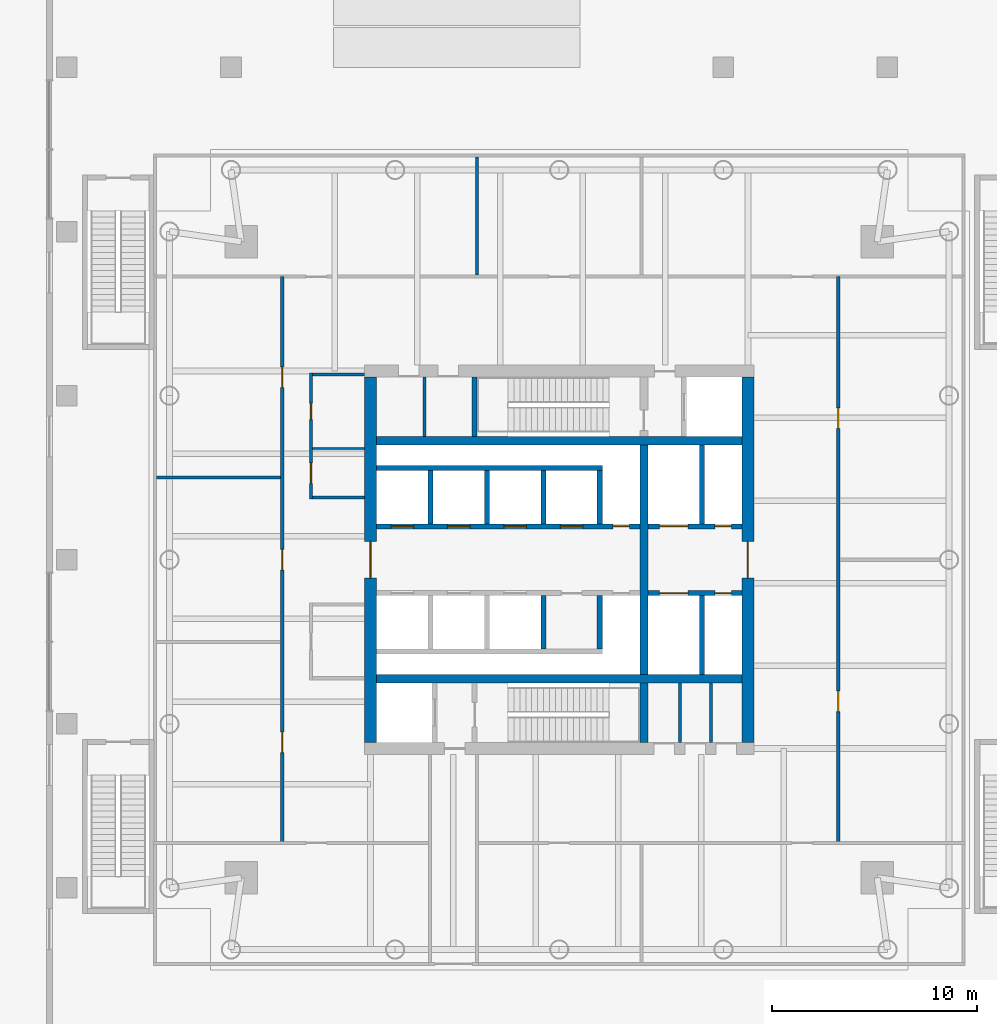
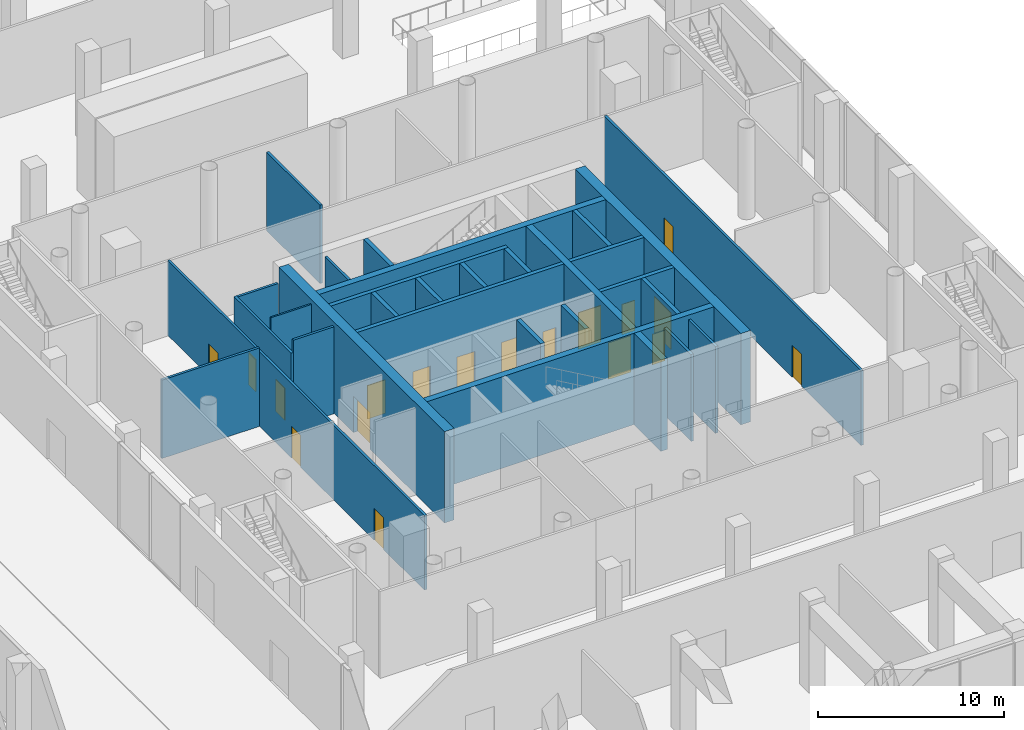
# One storey, part 30 of 39: 30 walls, 18 doors, 18 openings.
"""IFC4 building model written with IfcOpenShell, lengths in metres."""

import ifcopenshell
import ifcopenshell.guid

model = None  # the IFC model being written
_history = None  # IfcOwnerHistory: only IFC2X3 demands one
_inside = {}  # id of a spatial element -> (the spatial element, [elements in it])
_under = {}  # id of a project, library or spatial element -> (it, [spatial elements below it])
_declared = {}  # id of a project -> (the project, [libraries it declares])
_typed = {}  # id of a type object -> (the type object, [elements of that type])
_made_of = {}  # id of a material, layer set ... -> (it, [elements and type objects made of it])


def new_model(schema):
    """Start an empty IFC model of exactly this schema.

    Asked for "IFC4X3", IfcOpenShell would pick the latest addendum, in which some entities
    have other attributes; the version numbers below select the first issue.
    IFC2X3 requires an IfcOwnerHistory on every rooted entity: one is made here for all.
    """
    global model, _history
    if schema == "IFC4X3":
        model = ifcopenshell.file(schema_version=(4, 3, 0, 0))
    else:
        model = ifcopenshell.file(schema=schema)
    _inside.clear()
    _under.clear()
    _declared.clear()
    _typed.clear()
    _made_of.clear()
    _history = None
    if model.schema == "IFC2X3":
        org = make("IfcOrganization", Name="unknown")
        user = make(
            "IfcPersonAndOrganization",
            ThePerson=make("IfcPerson", FamilyName="unknown"),
            TheOrganization=org,
        )
        app = make(
            "IfcApplication",
            ApplicationDeveloper=org,
            Version="unknown",
            ApplicationFullName="unknown",
            ApplicationIdentifier="unknown",
        )
        _history = make(
            "IfcOwnerHistory",
            OwningUser=user,
            OwningApplication=app,
            ChangeAction="ADDED",
            CreationDate=0,
        )
    return model


def make(cls, **values):
    """One entity of the class cls with the attributes given. An attribute that is None is left unset."""
    return model.create_entity(
        cls, **{name: value for name, value in values.items() if value is not None}
    )


def rooted(cls, **values):
    """An entity with a GlobalId (a new one), such as an element, a storey or a relation."""
    return make(cls, GlobalId=ifcopenshell.guid.new(), OwnerHistory=_history, **values)


def si_unit(unit_type, name, prefix=None):
    """IfcSIUnit, for example si_unit("LENGTHUNIT", "METRE", prefix="MILLI")."""
    return make("IfcSIUnit", UnitType=unit_type, Prefix=prefix, Name=name)


def assignment(units):
    """IfcUnitAssignment: the units of a project."""
    return None if units is None else make("IfcUnitAssignment", Units=units)


def point(xyz):
    """IfcCartesianPoint."""
    return None if xyz is None else make("IfcCartesianPoint", Coordinates=xyz)


def direction(xyz):
    """IfcDirection."""
    return None if xyz is None else make("IfcDirection", DirectionRatios=xyz)


def frame(location, z_axis=None, x_axis=None):
    """IfcAxis2Placement3D, a coordinate frame: its origin and axes. An axis left out is left unset."""
    return make(
        "IfcAxis2Placement3D",
        Location=point(location),
        Axis=direction(z_axis),
        RefDirection=direction(x_axis),
    )


def frame_2d(location, x_axis=None):
    """IfcAxis2Placement2D, a coordinate frame in the plane: its origin and x axis."""
    return make(
        "IfcAxis2Placement2D", Location=point(location), RefDirection=direction(x_axis)
    )


def origin():
    """The frame at (0, 0, 0) with its axes left unset."""
    return frame((0.0, 0.0, 0.0))


def place(relative_to, where):
    """IfcLocalPlacement: puts the frame where relative to a parent placement (None: the world)."""
    return make(
        "IfcLocalPlacement", PlacementRelTo=relative_to, RelativePlacement=where
    )


def context(
    kind, dimensions, precision=None, world=None, true_north=None, identifier=None
):
    """IfcGeometricRepresentationContext, for example the 3D "Model" context."""
    return make(
        "IfcGeometricRepresentationContext",
        ContextIdentifier=identifier,
        ContextType=kind,
        CoordinateSpaceDimension=dimensions,
        Precision=precision,
        WorldCoordinateSystem=world,
        TrueNorth=true_north,
    )


def subcontext(parent, identifier, kind, view, scale=None):
    """IfcGeometricRepresentationSubContext, for example "Body" below "Model"."""
    return make(
        "IfcGeometricRepresentationSubContext",
        ContextIdentifier=identifier,
        ContextType=kind,
        ParentContext=parent,
        TargetScale=scale,
        TargetView=view,
    )


def project(units=None, contexts=None):
    """IfcProject with its units and contexts."""
    return rooted(
        "IfcProject",
        Name="project",
        RepresentationContexts=contexts,
        UnitsInContext=assignment(units),
    )


def spatial(cls, under=None, at=None, **own):
    """A site, building, storey or space (cls), placed at a placement, below another one or the project."""
    s = rooted(cls, ObjectPlacement=at, **own)
    if under is not None:
        _under.setdefault(under.id(), (under, []))[1].append(s)
    return s


def profile(cls, at=None, kind="AREA", **sizes):
    """A parametric profile (cls). Its sizes go by their IFC names, for example OverallWidth=200.0."""
    return make(cls, ProfileType=kind, Position=at, **sizes)


def rectangle(**sizes):
    """IfcRectangleProfileDef."""
    return profile("IfcRectangleProfileDef", **sizes)


def extrude(swept, where, along, depth):
    """IfcExtrudedAreaSolid: the profile swept, set in the frame where, extruded along a direction by depth."""
    return make(
        "IfcExtrudedAreaSolid",
        SweptArea=swept,
        Position=where,
        ExtrudedDirection=direction(along),
        Depth=depth,
    )


def shape(context_of_items, identifier, shape_type, items):
    """IfcShapeRepresentation: the items that make up one representation, for example the "Body"."""
    return make(
        "IfcShapeRepresentation",
        ContextOfItems=context_of_items,
        RepresentationIdentifier=identifier,
        RepresentationType=shape_type,
        Items=items,
    )


def material(Name=None, Category=None):
    """IfcMaterial."""
    return make("IfcMaterial", Name=Name, Category=Category)


def layer(
    of_material, thickness, ventilated=None, Name=None, Category=None, Priority=None
):
    """IfcMaterialLayer: one layer of a wall or slab, of a material (None: an air gap)."""
    return make(
        "IfcMaterialLayer",
        Material=of_material,
        LayerThickness=thickness,
        IsVentilated=ventilated,
        Name=Name,
        Category=Category,
        Priority=Priority,
    )


def layer_set(layers, Name=None):
    """IfcMaterialLayerSet."""
    return make("IfcMaterialLayerSet", MaterialLayers=layers, LayerSetName=Name)


def made_of(thing, what):
    """Note that an element or type object is made of a material, layer set ...; save() writes the relation."""
    if what is not None:
        _made_of.setdefault(what.id(), (what, []))[1].append(thing)
    return thing


def type_object(cls, material=None, **own):
    """A type object (cls), such as IfcWallType, which elements share."""
    return made_of(rooted(cls, **own), material)


def element(
    cls,
    number,
    at=None,
    inside=None,
    cuts=None,
    type_object=None,
    material=None,
    context=None,
    identifier="Body",
    shape_type=None,
    held_by="IfcProductDefinitionShape",
    body=None,
    shapes=None,
    **own,
):
    """One element of the class cls, such as IfcWall. Its Tag is "e" and its number.

    at: its placement. inside: the storey or other place that contains it. cuts: it is an
    opening in that element (IfcRelVoidsElement). A single representation is given by context,
    identifier, shape_type and body (its items); several are given by shapes. held_by: the class
    of the entity that holds the representations. save() writes the other relations.
    """
    e = rooted(cls, Tag="e%d" % number, ObjectPlacement=at, **own)
    if body is not None:
        shapes = [shape(context, identifier, shape_type, body)]
    if shapes is not None:
        e.Representation = make(held_by, Representations=shapes)
    if inside is not None:
        _inside.setdefault(inside.id(), (inside, []))[1].append(e)
    if cuts is not None:
        rooted(
            "IfcRelVoidsElement", RelatingBuildingElement=cuts, RelatedOpeningElement=e
        )
    if type_object is not None:
        _typed.setdefault(type_object.id(), (type_object, []))[1].append(e)
    return made_of(e, material)


def fill(opening, filler):
    """IfcRelFillsElement: the door or window that sits in an opening."""
    return rooted(
        "IfcRelFillsElement",
        RelatingOpeningElement=opening,
        RelatedBuildingElement=filler,
    )


def aggregate(whole, parts):
    """IfcRelAggregates: a whole, such as a stair, and the parts it consists of."""
    return rooted("IfcRelAggregates", RelatingObject=whole, RelatedObjects=parts)


def save(model, path):
    """Write the relations noted so far, then the file.

    IfcRelAggregates (storeys below a building ...), IfcRelContainedInSpatialStructure (elements
    in a storey), IfcRelDefinesByType, IfcRelAssociatesMaterial and IfcRelDeclares: one each for
    every whole, place, type object, material and project.
    """
    for whole, parts in _under.values():
        aggregate(whole, parts)
    for where, things in _inside.values():
        rooted(
            "IfcRelContainedInSpatialStructure",
            RelatedElements=things,
            RelatingStructure=where,
        )
    for kind, things in _typed.values():
        rooted("IfcRelDefinesByType", RelatedObjects=things, RelatingType=kind)
    for what, things in _made_of.values():
        rooted("IfcRelAssociatesMaterial", RelatedObjects=things, RelatingMaterial=what)
    for by, libraries in _declared.values():
        rooted("IfcRelDeclares", RelatingContext=by, RelatedDefinitions=libraries)
    model.write(path)


model = new_model("IFC4")

# Units and contexts
model_context = context("Model", 3, precision=1e-05, world=origin(), true_north=direction((0.0, 1.0)))
body_context = subcontext(model_context, "Body", "Model", "MODEL_VIEW")
ifc_project = project(units=[si_unit("LENGTHUNIT", "METRE"), si_unit("AREAUNIT", "SQUARE_METRE"), si_unit("VOLUMEUNIT", "CUBIC_METRE"), si_unit("PLANEANGLEUNIT", "RADIAN"), si_unit("MASSUNIT", "GRAM", prefix="KILO")], contexts=[model_context])

# Site, building, storey
site_placement = place(None, origin())
site = spatial("IfcSite", under=ifc_project, at=site_placement, CompositionType="ELEMENT")
building_placement = place(site_placement, origin())
building = spatial("IfcBuilding", under=site, at=building_placement, Name="Ostroluk Exchange", CompositionType="ELEMENT")
storey_placement = place(building_placement, origin())
storey = spatial("IfcBuildingStorey", under=building, at=storey_placement, Name="L00", CompositionType="ELEMENT", Elevation=0.0)

# Walls
ifc_material_1 = material(Name="Concrete blockwork", Category="masonry")
ifc_layer_1 = layer(ifc_material_1, 0.10009765625)
ifc_layer_set_1 = layer_set([ifc_layer_1], Name="Blockwork WC wall 100")
wall_type_1 = type_object("IfcWallType", Name="Blockwork WC wall 100", PredefinedType="SOLIDWALL", material=ifc_layer_set_1)
wall_1_placement = place(storey_placement, frame((104.97509765625, 51.425048828125, 0.0), z_axis=(0.0, 0.0, 1.0), x_axis=(1.0, 0.0, 0.0)))
element("IfcWall", 1, at=wall_1_placement, inside=storey, type_object=wall_type_1, Name="Blockwork WC wall", PredefinedType="SOLIDWALL", context=body_context, shape_type="SweptSolid", body=[
    extrude(rectangle(XDim=2.52490234375, YDim=0.10009765625, at=frame_2d((1.262451171875, 0.0))), origin(), (0.0, 0.0, 1.0), 5.699951171875),
])
ifc_material_2 = material(Name="Concrete blockwork", Category="masonry")
ifc_layer_2 = layer(ifc_material_2, 0.14990234375)
ifc_layer_set_2 = layer_set([ifc_layer_2], Name="Blockwork plant room wall 150")
wall_type_2 = type_object("IfcWallType", Name="Blockwork plant room wall 150", PredefinedType="SOLIDWALL", material=ifc_layer_set_2)
for number, where, z_axis, x_axis, name in (
    (2, (122.8837890625, 37.10009765625, 0.0), (0.0, 0.0, 1.0), (0.0, 1.0, 0.0), "Core room wall"),
    (3, (124.391845703125, 37.10009765625, 0.0), (0.0, 0.0, 1.0), (0.0, 1.0, 0.0), "Core room wall"),
    (4, (110.425048828125, 52.0, 0.0), (0.0, 0.0, 1.0), (0.0, 1.0, 0.0), "Core room wall"),
):
    element("IfcWall", number, at=place(storey_placement, frame(where, z_axis=z_axis, x_axis=x_axis)), inside=storey, type_object=wall_type_2, Name=name, PredefinedType="SOLIDWALL", context=body_context, shape_type="SweptSolid", body=[
        extrude(rectangle(XDim=2.89990234375, YDim=0.14990234375, at=frame_2d((1.449951171875, 0.0))), origin(), (0.0, 0.0, 1.0), 5.699951171875),
    ])
ifc_material_3 = material(Name="Concrete C50/60", Category="concrete")
ifc_layer_3 = layer(ifc_material_3, 0.39990234375)
ifc_layer_set_3 = layer_set([ifc_layer_3], Name="Core cross wall 400 C50/60")
wall_type_3 = type_object("IfcWallType", Name="Core cross wall 400 C50/60", PredefinedType="SHEAR", material=ifc_layer_set_3)
for number, where, z_axis, x_axis, name in (
    (5, (108.10009765625, 40.199951171875, 0.0), (0.0, 0.0, 1.0), (1.0, 0.0, 0.0), "T2 core wall XS"),
    (6, (108.10009765625, 51.800048828125, 0.0), (0.0, 0.0, 1.0), (1.0, 0.0, 0.0), "T2 core wall XN"),
):
    element("IfcWall", number, at=place(storey_placement, frame(where, z_axis=z_axis, x_axis=x_axis)), inside=storey, type_object=wall_type_3, Name=name, PredefinedType="SHEAR", context=body_context, shape_type="SweptSolid", body=[
        extrude(rectangle(XDim=17.7998046875, YDim=0.39990234375, at=frame_2d((8.89990234375, 0.0))), origin(), (0.0, 0.0, 1.0), 6.0),
    ])
wall_2_placement = place(storey_placement, frame((121.1298828125, 37.10009765625, 0.0), z_axis=(0.0, 0.0, 1.0), x_axis=(0.0, 1.0, 0.0)))
element("IfcWall", 7, at=wall_2_placement, inside=storey, type_object=wall_type_3, Name="T2 core wall YE1", PredefinedType="SHEAR", context=body_context, shape_type="SweptSolid", body=[
    extrude(rectangle(XDim=2.89990234375, YDim=0.39990234375, at=frame_2d((1.449951171875, 0.0))), origin(), (0.0, 0.0, 1.0), 6.0),
])
wall_3_placement = place(storey_placement, frame((121.1298828125, 40.39990234375, 0.0), z_axis=(0.0, 0.0, 1.0), x_axis=(0.0, 1.0, 0.0)))
element("IfcWall", 8, at=wall_3_placement, inside=storey, type_object=wall_type_3, Name="T2 core wall YE2", PredefinedType="SHEAR", context=body_context, shape_type="SweptSolid", body=[
    extrude(rectangle(XDim=11.2001953125, YDim=0.39990234375, at=frame_2d((5.60009765625, 0.0))), origin(), (0.0, 0.0, 1.0), 6.0),
])
ifc_material_4 = material(Name="Concrete C40/50", Category="concrete")
ifc_layer_4 = layer(ifc_material_4, 0.25)
ifc_layer_set_4 = layer_set([ifc_layer_4], Name="Core shaft wall 250")
wall_type_4 = type_object("IfcWallType", Name="Core shaft wall 250", PredefinedType="SHEAR", material=ifc_layer_set_4)
wall_4_placement = place(storey_placement, frame((112.875, 52.0, 0.0), z_axis=(0.0, 0.0, 1.0), x_axis=(0.0, 1.0, 0.0)))
element("IfcWall", 9, at=wall_4_placement, inside=storey, type_object=wall_type_4, Name="Stair shaft wall", PredefinedType="SHEAR", context=body_context, shape_type="SweptSolid", body=[
    extrude(rectangle(XDim=2.89990234375, YDim=0.25, at=frame_2d((1.449951171875, 0.0))), origin(), (0.0, 0.0, 1.0), 6.0),
])
for number, where, z_axis, x_axis, name in (
    (10, (110.72509765625, 47.75, 0.0), (0.0, 0.0, 1.0), (0.0, 1.0, 0.0), "Lift shaft wall"),
    (11, (113.47509765625, 47.75, 0.0), (0.0, 0.0, 1.0), (0.0, 1.0, 0.0), "Lift shaft wall"),
    (12, (116.22509765625, 47.75, 0.0), (0.0, 0.0, 1.0), (0.0, 1.0, 0.0), "Lift shaft wall"),
    (13, (118.97509765625, 47.75, 0.0), (0.0, 0.0, 1.0), (0.0, 1.0, 0.0), "Lift shaft wall"),
):
    element("IfcWall", number, at=place(storey_placement, frame(where, z_axis=z_axis, x_axis=x_axis)), inside=storey, type_object=wall_type_4, Name=name, PredefinedType="SHEAR", context=body_context, shape_type="SweptSolid", body=[
        extrude(rectangle(XDim=2.60009765625, YDim=0.25, at=frame_2d((1.300048828125, 0.0))), origin(), (0.0, 0.0, 1.0), 6.0),
    ])
wall_5_placement = place(storey_placement, frame((108.10009765625, 50.47509765625, 0.0), z_axis=(0.0, 0.0, 1.0), x_axis=(1.0, 0.0, 0.0)))
element("IfcWall", 14, at=wall_5_placement, inside=storey, type_object=wall_type_4, Name="Lift shaft wall", PredefinedType="SHEAR", context=body_context, shape_type="SweptSolid", body=[
    extrude(rectangle(XDim=11.0, YDim=0.25, at=frame_2d((5.5, 0.0))), origin(), (0.0, 0.0, 1.0), 6.0),
])

# Wall, openings, doors
wall_6_placement = place(storey_placement, frame((108.10009765625, 47.625, 0.0), z_axis=(0.0, 0.0, 1.0), x_axis=(1.0, 0.0, 0.0)))
wall_6 = element("IfcWall", 15, at=wall_6_placement, inside=storey, type_object=wall_type_4, Name="Lift shaft front wall", PredefinedType="SHEAR", context=body_context, shape_type="SweptSolid", body=[
    extrude(rectangle(XDim=12.829833984375, YDim=0.25, at=frame_2d((6.4150390625, 0.0))), origin(), (0.0, 0.0, 1.0), 6.0),
])
opening_1_placement = place(wall_6_placement, frame((0.699951171875, 0.0, 0.0)))
opening_1 = element("IfcOpeningElement", 16, at=opening_1_placement, cuts=wall_6, Name="Opening LD", PredefinedType="OPENING", context=body_context, shape_type="SweptSolid", body=[
    extrude(rectangle(XDim=1.10009765625, YDim=2.199951171875, at=frame_2d((0.550048828125, 1.10009765625))), frame((0.0, 0.135009765625, 0.0), z_axis=(0.0, -1.0, 0.0), x_axis=(1.0, 0.0, 0.0)), (0.0, 0.0, 1.0), 0.27001953125),
])
opening_2_placement = place(wall_6_placement, frame((3.449951171875, 0.0, 0.0)))
opening_2 = element("IfcOpeningElement", 17, at=opening_2_placement, cuts=wall_6, Name="Opening LD", PredefinedType="OPENING", context=body_context, shape_type="SweptSolid", body=[
    extrude(rectangle(XDim=1.10009765625, YDim=2.199951171875, at=frame_2d((0.550048828125, 1.10009765625))), frame((0.0, 0.135009765625, 0.0), z_axis=(0.0, -1.0, 0.0), x_axis=(1.0, 0.0, 0.0)), (0.0, 0.0, 1.0), 0.27001953125),
])
opening_3_placement = place(wall_6_placement, frame((6.199951171875, 0.0, 0.0)))
opening_3 = element("IfcOpeningElement", 18, at=opening_3_placement, cuts=wall_6, Name="Opening LD", PredefinedType="OPENING", context=body_context, shape_type="SweptSolid", body=[
    extrude(rectangle(XDim=1.10009765625, YDim=2.199951171875, at=frame_2d((0.550048828125, 1.10009765625))), frame((0.0, 0.135009765625, 0.0), z_axis=(0.0, -1.0, 0.0), x_axis=(1.0, 0.0, 0.0)), (0.0, 0.0, 1.0), 0.27001953125),
])
opening_4_placement = place(wall_6_placement, frame((8.949951171875, 0.0, 0.0)))
opening_4 = element("IfcOpeningElement", 19, at=opening_4_placement, cuts=wall_6, Name="Opening LD", PredefinedType="OPENING", context=body_context, shape_type="SweptSolid", body=[
    extrude(rectangle(XDim=1.10009765625, YDim=2.199951171875, at=frame_2d((0.550048828125, 1.10009765625))), frame((0.0, 0.135009765625, 0.0), z_axis=(0.0, -1.0, 0.0), x_axis=(1.0, 0.0, 0.0)), (0.0, 0.0, 1.0), 0.27001953125),
])
opening_5_placement = place(wall_6_placement, frame((11.514892578125, 0.0, 0.0)))
opening_5 = element("IfcOpeningElement", 20, at=opening_5_placement, cuts=wall_6, Name="Opening RD60", PredefinedType="OPENING", context=body_context, shape_type="SweptSolid", body=[
    extrude(rectangle(XDim=0.800048828125, YDim=2.0, at=frame_2d((0.39990234375, 1.0))), frame((0.0, 0.135009765625, 0.0), z_axis=(0.0, -1.0, 0.0), x_axis=(1.0, 0.0, 0.0)), (0.0, 0.0, 1.0), 0.27001953125),
])
ifc_material_5 = material(Name="Stainless steel", Category="steel")
door_type_1 = type_object("IfcDoorType", Name="Lift landing door E 60 1100 x 2200", OperationType="DOUBLE_DOOR_SLIDING", PredefinedType="DOOR", material=ifc_material_5)
door_1_placement = place(opening_1_placement, origin())
door_1 = element("IfcDoor", 21, at=door_1_placement, inside=storey, type_object=door_type_1, Name="Lift HL1 landing door", OperationType="DOUBLE_DOOR_SLIDING", OverallHeight=2.199951171875, OverallWidth=1.10009765625, PredefinedType="DOOR", context=body_context, shape_type="SweptSolid", body=[
    extrude(rectangle(XDim=1.10009765625, YDim=2.199951171875, at=frame_2d((0.550048828125, 1.10009765625))), frame((0.0, 0.02490234375, 0.0), z_axis=(0.0, -1.0, 0.0), x_axis=(1.0, 0.0, 0.0)), (0.0, 0.0, 1.0), 0.050048828125),
])
fill(opening_1, door_1)
door_2_placement = place(opening_2_placement, origin())
door_2 = element("IfcDoor", 22, at=door_2_placement, inside=storey, type_object=door_type_1, Name="Lift HL2 landing door", OperationType="DOUBLE_DOOR_SLIDING", OverallHeight=2.199951171875, OverallWidth=1.10009765625, PredefinedType="DOOR", context=body_context, shape_type="SweptSolid", body=[
    extrude(rectangle(XDim=1.10009765625, YDim=2.199951171875, at=frame_2d((0.550048828125, 1.10009765625))), frame((0.0, 0.02490234375, 0.0), z_axis=(0.0, -1.0, 0.0), x_axis=(1.0, 0.0, 0.0)), (0.0, 0.0, 1.0), 0.050048828125),
])
fill(opening_2, door_2)
door_3_placement = place(opening_3_placement, origin())
door_3 = element("IfcDoor", 23, at=door_3_placement, inside=storey, type_object=door_type_1, Name="Lift HL3 landing door", OperationType="DOUBLE_DOOR_SLIDING", OverallHeight=2.199951171875, OverallWidth=1.10009765625, PredefinedType="DOOR", context=body_context, shape_type="SweptSolid", body=[
    extrude(rectangle(XDim=1.10009765625, YDim=2.199951171875, at=frame_2d((0.550048828125, 1.10009765625))), frame((0.0, 0.02490234375, 0.0), z_axis=(0.0, -1.0, 0.0), x_axis=(1.0, 0.0, 0.0)), (0.0, 0.0, 1.0), 0.050048828125),
])
fill(opening_3, door_3)
door_4_placement = place(opening_4_placement, origin())
door_4 = element("IfcDoor", 24, at=door_4_placement, inside=storey, type_object=door_type_1, Name="Lift HL4 landing door", OperationType="DOUBLE_DOOR_SLIDING", OverallHeight=2.199951171875, OverallWidth=1.10009765625, PredefinedType="DOOR", context=body_context, shape_type="SweptSolid", body=[
    extrude(rectangle(XDim=1.10009765625, YDim=2.199951171875, at=frame_2d((0.550048828125, 1.10009765625))), frame((0.0, 0.02490234375, 0.0), z_axis=(0.0, -1.0, 0.0), x_axis=(1.0, 0.0, 0.0)), (0.0, 0.0, 1.0), 0.050048828125),
])
fill(opening_4, door_4)
ifc_material_6 = material(Name="Steel", Category="steel")
door_type_2 = type_object("IfcDoorType", Name="Riser access door EI 60 800 x 2000", OperationType="SINGLE_SWING_LEFT", PredefinedType="DOOR", material=ifc_material_6)
door_5_placement = place(opening_5_placement, origin())
door_5 = element("IfcDoor", 25, at=door_5_placement, inside=storey, type_object=door_type_2, Name="Riser access door", OperationType="SINGLE_SWING_RIGHT", OverallHeight=2.0, OverallWidth=0.800048828125, PredefinedType="DOOR", context=body_context, shape_type="SweptSolid", body=[
    extrude(rectangle(XDim=0.800048828125, YDim=2.0, at=frame_2d((0.39990234375, 1.0))), frame((0.0, 0.02490234375, 0.0), z_axis=(0.0, -1.0, 0.0), x_axis=(1.0, 0.0, 0.0)), (0.0, 0.0, 1.0), 0.050048828125),
])
fill(opening_5, door_5)

# Walls
for number, where, z_axis, x_axis, name in (
    (26, (116.22509765625, 44.25, 0.0), (0.0, 0.0, 1.0), (0.0, -1.0, 0.0), "Lift shaft wall"),
    (27, (118.97509765625, 44.25, 0.0), (0.0, 0.0, 1.0), (0.0, -1.0, 0.0), "Lift shaft wall"),
):
    element("IfcWall", number, at=place(storey_placement, frame(where, z_axis=z_axis, x_axis=x_axis)), inside=storey, type_object=wall_type_4, Name=name, PredefinedType="SHEAR", context=body_context, shape_type="SweptSolid", body=[
        extrude(rectangle(XDim=2.60009765625, YDim=0.25, at=frame_2d((1.300048828125, 0.0))), origin(), (0.0, 0.0, 1.0), 6.0),
    ])
wall_7_placement = place(storey_placement, frame((123.955078125, 47.75, 0.0), z_axis=(0.0, 0.0, 1.0), x_axis=(0.0, 1.0, 0.0)))
element("IfcWall", 28, at=wall_7_placement, inside=storey, type_object=wall_type_4, Name="Lift shaft wall", PredefinedType="SHEAR", context=body_context, shape_type="SweptSolid", body=[
    extrude(rectangle(XDim=3.85009765625, YDim=0.25, at=frame_2d((1.925048828125, 0.0))), origin(), (0.0, 0.0, 1.0), 6.0),
])

# Wall, openings, doors
wall_8_placement = place(storey_placement, frame((121.330078125, 47.625, 0.0), z_axis=(0.0, 0.0, 1.0), x_axis=(1.0, 0.0, 0.0)))
wall_8 = element("IfcWall", 29, at=wall_8_placement, inside=storey, type_object=wall_type_4, Name="Lift shaft front wall", PredefinedType="SHEAR", context=body_context, shape_type="SweptSolid", body=[
    extrude(rectangle(XDim=4.56982421875, YDim=0.25, at=frame_2d((2.284912109375, 0.0))), origin(), (0.0, 0.0, 1.0), 6.0),
])
opening_6_placement = place(wall_8_placement, frame((0.550048828125, 0.0, 0.0)))
opening_6 = element("IfcOpeningElement", 30, at=opening_6_placement, cuts=wall_8, Name="Opening LD3", PredefinedType="OPENING", context=body_context, shape_type="SweptSolid", body=[
    extrude(rectangle(XDim=1.39990234375, YDim=2.39990234375, at=frame_2d((0.699951171875, 1.199951171875))), frame((0.0, 0.135009765625, 0.0), z_axis=(0.0, -1.0, 0.0), x_axis=(1.0, 0.0, 0.0)), (0.0, 0.0, 1.0), 0.27001953125),
])
opening_7_placement = place(wall_8_placement, frame((3.260009765625, 0.0, 0.0)))
opening_7 = element("IfcOpeningElement", 31, at=opening_7_placement, cuts=wall_8, Name="Opening RD60", PredefinedType="OPENING", context=body_context, shape_type="SweptSolid", body=[
    extrude(rectangle(XDim=0.800048828125, YDim=2.0, at=frame_2d((0.39990234375, 1.0))), frame((0.0, 0.135009765625, 0.0), z_axis=(0.0, -1.0, 0.0), x_axis=(1.0, 0.0, 0.0)), (0.0, 0.0, 1.0), 0.27001953125),
])
ifc_material_7 = material(Name="Stainless steel", Category="steel")
door_type_3 = type_object("IfcDoorType", Name="Goods lift landing door E 60 1400 x 2400", OperationType="DOUBLE_DOOR_SLIDING", PredefinedType="DOOR", material=ifc_material_7)
door_6_placement = place(opening_6_placement, origin())
door_6 = element("IfcDoor", 32, at=door_6_placement, inside=storey, type_object=door_type_3, Name="Lift HS1 landing door", OperationType="DOUBLE_DOOR_SLIDING", OverallHeight=2.39990234375, OverallWidth=1.39990234375, PredefinedType="DOOR", context=body_context, shape_type="SweptSolid", body=[
    extrude(rectangle(XDim=1.39990234375, YDim=2.39990234375, at=frame_2d((0.699951171875, 1.199951171875))), frame((0.0, 0.02490234375, 0.0), z_axis=(0.0, -1.0, 0.0), x_axis=(1.0, 0.0, 0.0)), (0.0, 0.0, 1.0), 0.050048828125),
])
fill(opening_6, door_6)
door_7_placement = place(opening_7_placement, origin())
door_7 = element("IfcDoor", 33, at=door_7_placement, inside=storey, type_object=door_type_2, Name="Riser access door", OperationType="SINGLE_SWING_RIGHT", OverallHeight=2.0, OverallWidth=0.800048828125, PredefinedType="DOOR", context=body_context, shape_type="SweptSolid", body=[
    extrude(rectangle(XDim=0.800048828125, YDim=2.0, at=frame_2d((0.39990234375, 1.0))), frame((0.0, 0.02490234375, 0.0), z_axis=(0.0, -1.0, 0.0), x_axis=(1.0, 0.0, 0.0)), (0.0, 0.0, 1.0), 0.050048828125),
])
fill(opening_7, door_7)

# Wall
wall_9_placement = place(storey_placement, frame((123.955078125, 44.25, 0.0), z_axis=(0.0, 0.0, 1.0), x_axis=(0.0, -1.0, 0.0)))
element("IfcWall", 34, at=wall_9_placement, inside=storey, type_object=wall_type_4, Name="Lift shaft wall", PredefinedType="SHEAR", context=body_context, shape_type="SweptSolid", body=[
    extrude(rectangle(XDim=3.85009765625, YDim=0.25, at=frame_2d((1.925048828125, 0.0))), origin(), (0.0, 0.0, 1.0), 6.0),
])

# Wall, openings, doors
wall_10_placement = place(storey_placement, frame((121.330078125, 44.375, 0.0), z_axis=(0.0, 0.0, 1.0), x_axis=(1.0, 0.0, 0.0)))
wall_10 = element("IfcWall", 35, at=wall_10_placement, inside=storey, type_object=wall_type_4, Name="Lift shaft front wall", PredefinedType="SHEAR", context=body_context, shape_type="SweptSolid", body=[
    extrude(rectangle(XDim=4.56982421875, YDim=0.25, at=frame_2d((2.284912109375, 0.0))), origin(), (0.0, 0.0, 1.0), 6.0),
])
opening_8_placement = place(wall_10_placement, frame((0.550048828125, 0.0, 0.0)))
opening_8 = element("IfcOpeningElement", 36, at=opening_8_placement, cuts=wall_10, Name="Opening LD3", PredefinedType="OPENING", context=body_context, shape_type="SweptSolid", body=[
    extrude(rectangle(XDim=1.39990234375, YDim=2.39990234375, at=frame_2d((0.699951171875, 1.199951171875))), frame((0.0, 0.135009765625, 0.0), z_axis=(0.0, -1.0, 0.0), x_axis=(1.0, 0.0, 0.0)), (0.0, 0.0, 1.0), 0.27001953125),
])
opening_9_placement = place(wall_10_placement, frame((3.260009765625, 0.0, 0.0)))
opening_9 = element("IfcOpeningElement", 37, at=opening_9_placement, cuts=wall_10, Name="Opening RD60", PredefinedType="OPENING", context=body_context, shape_type="SweptSolid", body=[
    extrude(rectangle(XDim=0.800048828125, YDim=2.0, at=frame_2d((0.39990234375, 1.0))), frame((0.0, 0.135009765625, 0.0), z_axis=(0.0, -1.0, 0.0), x_axis=(1.0, 0.0, 0.0)), (0.0, 0.0, 1.0), 0.27001953125),
])
door_8_placement = place(opening_8_placement, origin())
door_8 = element("IfcDoor", 38, at=door_8_placement, inside=storey, type_object=door_type_3, Name="Lift HS2 landing door", OperationType="DOUBLE_DOOR_SLIDING", OverallHeight=2.39990234375, OverallWidth=1.39990234375, PredefinedType="DOOR", context=body_context, shape_type="SweptSolid", body=[
    extrude(rectangle(XDim=1.39990234375, YDim=2.39990234375, at=frame_2d((0.699951171875, 1.199951171875))), frame((0.0, 0.02490234375, 0.0), z_axis=(0.0, -1.0, 0.0), x_axis=(1.0, 0.0, 0.0)), (0.0, 0.0, 1.0), 0.050048828125),
])
fill(opening_8, door_8)
door_9_placement = place(opening_9_placement, origin())
door_9 = element("IfcDoor", 39, at=door_9_placement, inside=storey, type_object=door_type_2, Name="Riser access door", OperationType="SINGLE_SWING_RIGHT", OverallHeight=2.0, OverallWidth=0.800048828125, PredefinedType="DOOR", context=body_context, shape_type="SweptSolid", body=[
    extrude(rectangle(XDim=0.800048828125, YDim=2.0, at=frame_2d((0.39990234375, 1.0))), frame((0.0, 0.02490234375, 0.0), z_axis=(0.0, -1.0, 0.0), x_axis=(1.0, 0.0, 0.0)), (0.0, 0.0, 1.0), 0.050048828125),
])
fill(opening_9, door_9)

# Wall, opening, door
ifc_material_8 = material(Name="Concrete C50/60", Category="concrete")
ifc_layer_5 = layer(ifc_material_8, 0.60009765625)
ifc_layer_set_5 = layer_set([ifc_layer_5], Name="Core wall 600 C50/60")
wall_type_5 = type_object("IfcWallType", Name="Core wall 600 C50/60", PredefinedType="SHEAR", material=ifc_layer_set_5)
wall_11_placement = place(storey_placement, frame((107.800048828125, 37.10009765625, 0.0), z_axis=(0.0, 0.0, 1.0), x_axis=(0.0, 1.0, 0.0)))
wall_11 = element("IfcWall", 40, at=wall_11_placement, inside=storey, type_object=wall_type_5, Name="T2 core wall W", PredefinedType="SHEAR", context=body_context, shape_type="SweptSolid", body=[
    extrude(rectangle(XDim=17.7998046875, YDim=0.60009765625, at=frame_2d((8.89990234375, 0.0))), origin(), (0.0, 0.0, 1.0), 6.0),
])
opening_10_placement = place(wall_11_placement, frame((8.0, 0.0, 0.0)))
opening_10 = element("IfcOpeningElement", 41, at=opening_10_placement, cuts=wall_11, Name="Opening FD30D", PredefinedType="OPENING", context=body_context, shape_type="SweptSolid", body=[
    extrude(rectangle(XDim=1.800048828125, YDim=2.39990234375, at=frame_2d((0.89990234375, 1.199951171875))), frame((0.0, 0.31005859375, 0.0), z_axis=(0.0, -1.0, 0.0), x_axis=(1.0, 0.0, 0.0)), (0.0, 0.0, 1.0), 0.6201171875),
])
ifc_material_9 = material(Name="Timber", Category="wood")
door_type_4 = type_object("IfcDoorType", Name="Lobby double door EI 30 1800 x 2400", OperationType="DOUBLE_DOOR_SINGLE_SWING", PredefinedType="DOOR", material=ifc_material_9)
door_10_placement = place(opening_10_placement, origin())
door_10 = element("IfcDoor", 42, at=door_10_placement, inside=storey, type_object=door_type_4, Name="Lift lobby doors", OperationType="DOUBLE_DOOR_SINGLE_SWING", OverallHeight=2.39990234375, OverallWidth=1.800048828125, PredefinedType="DOOR", context=body_context, shape_type="SweptSolid", body=[
    extrude(rectangle(XDim=1.800048828125, YDim=2.39990234375, at=frame_2d((0.89990234375, 1.199951171875))), frame((0.0, 0.02490234375, 0.0), z_axis=(0.0, -1.0, 0.0), x_axis=(1.0, 0.0, 0.0)), (0.0, 0.0, 1.0), 0.050048828125),
])
fill(opening_10, door_10)

wall_12_placement = place(storey_placement, frame((126.199951171875, 37.10009765625, 0.0), z_axis=(0.0, 0.0, 1.0), x_axis=(0.0, 1.0, 0.0)))
wall_12 = element("IfcWall", 43, at=wall_12_placement, inside=storey, type_object=wall_type_5, Name="T2 core wall E", PredefinedType="SHEAR", context=body_context, shape_type="SweptSolid", body=[
    extrude(rectangle(XDim=17.7998046875, YDim=0.60009765625, at=frame_2d((8.89990234375, 0.0))), origin(), (0.0, 0.0, 1.0), 6.0),
])
opening_11_placement = place(wall_12_placement, frame((8.0, 0.0, 0.0)))
opening_11 = element("IfcOpeningElement", 44, at=opening_11_placement, cuts=wall_12, Name="Opening FD30D", PredefinedType="OPENING", context=body_context, shape_type="SweptSolid", body=[
    extrude(rectangle(XDim=1.800048828125, YDim=2.39990234375, at=frame_2d((0.89990234375, 1.199951171875))), frame((0.0, 0.31005859375, 0.0), z_axis=(0.0, -1.0, 0.0), x_axis=(1.0, 0.0, 0.0)), (0.0, 0.0, 1.0), 0.6201171875),
])
door_11_placement = place(opening_11_placement, origin())
door_11 = element("IfcDoor", 45, at=door_11_placement, inside=storey, type_object=door_type_4, Name="Lift lobby doors", OperationType="DOUBLE_DOOR_SINGLE_SWING", OverallHeight=2.39990234375, OverallWidth=1.800048828125, PredefinedType="DOOR", context=body_context, shape_type="SweptSolid", body=[
    extrude(rectangle(XDim=1.800048828125, YDim=2.39990234375, at=frame_2d((0.89990234375, 1.199951171875))), frame((0.0, 0.02490234375, 0.0), z_axis=(0.0, -1.0, 0.0), x_axis=(1.0, 0.0, 0.0)), (0.0, 0.0, 1.0), 0.050048828125),
])
fill(opening_11, door_11)

# Wall
ifc_material_10 = material(Name="Gypsum plasterboard partition", Category="gypsum")
ifc_layer_6 = layer(ifc_material_10, 0.14990234375)
ifc_layer_set_6 = layer_set([ifc_layer_6], Name="Plasterboard partition 150")
wall_type_6 = type_object("IfcWallType", Name="Plasterboard partition 150", PredefinedType="PARTITIONING", material=ifc_layer_set_6)
wall_13_placement = place(storey_placement, frame((113.0, 59.875, 0.0), z_axis=(0.0, 0.0, 1.0), x_axis=(0.0, 1.0, 0.0)))
element("IfcWall", 46, at=wall_13_placement, inside=storey, type_object=wall_type_6, Name="Partition", PredefinedType="PARTITIONING", context=body_context, shape_type="SweptSolid", body=[
    extrude(rectangle(XDim=5.75, YDim=0.14990234375, at=frame_2d((2.875, 0.0))), origin(), (0.0, 0.0, 1.0), 5.14990234375),
])

# Wall, openings, doors
wall_14_placement = place(storey_placement, frame((103.5, 32.199951171875, 0.0), z_axis=(0.0, 0.0, 1.0), x_axis=(0.0, 1.0, 0.0)))
wall_14 = element("IfcWall", 47, at=wall_14_placement, inside=storey, type_object=wall_type_6, Name="Partition", PredefinedType="PARTITIONING", context=body_context, shape_type="SweptSolid", body=[
    extrude(rectangle(XDim=27.60009765625, YDim=0.14990234375, at=frame_2d((13.800048828125, 0.0))), origin(), (0.0, 0.0, 1.0), 4.89990234375),
])
opening_12_placement = place(wall_14_placement, frame((4.39990234375, 0.0, 0.0)))
opening_12 = element("IfcOpeningElement", 48, at=opening_12_placement, cuts=wall_14, Name="Opening D-03", PredefinedType="OPENING", context=body_context, shape_type="SweptSolid", body=[
    extrude(rectangle(XDim=1.0, YDim=2.10009765625, at=frame_2d((0.5, 1.050048828125))), frame((0.0, 0.0849609375, 0.0), z_axis=(0.0, -1.0, 0.0), x_axis=(1.0, 0.0, 0.0)), (0.0, 0.0, 1.0), 0.169921875),
])
opening_13_placement = place(wall_14_placement, frame((13.300048828125, 0.0, 0.0)))
opening_13 = element("IfcOpeningElement", 49, at=opening_13_placement, cuts=wall_14, Name="Opening D-03", PredefinedType="OPENING", context=body_context, shape_type="SweptSolid", body=[
    extrude(rectangle(XDim=1.0, YDim=2.10009765625, at=frame_2d((0.5, 1.050048828125))), frame((0.0, 0.0849609375, 0.0), z_axis=(0.0, -1.0, 0.0), x_axis=(1.0, 0.0, 0.0)), (0.0, 0.0, 1.0), 0.169921875),
])
opening_14_placement = place(wall_14_placement, frame((22.199951171875, 0.0, 0.0)))
opening_14 = element("IfcOpeningElement", 50, at=opening_14_placement, cuts=wall_14, Name="Opening D-03", PredefinedType="OPENING", context=body_context, shape_type="SweptSolid", body=[
    extrude(rectangle(XDim=1.0, YDim=2.10009765625, at=frame_2d((0.5, 1.050048828125))), frame((0.0, 0.0849609375, 0.0), z_axis=(0.0, -1.0, 0.0), x_axis=(1.0, 0.0, 0.0)), (0.0, 0.0, 1.0), 0.169921875),
])
ifc_material_11 = material(Name="Timber", Category="wood")
door_type_5 = type_object("IfcDoorType", Name="Internal door 1000 x 2100", OperationType="SINGLE_SWING_LEFT", PredefinedType="DOOR", material=ifc_material_11)
door_12_placement = place(opening_12_placement, origin())
door_12 = element("IfcDoor", 51, at=door_12_placement, inside=storey, type_object=door_type_5, Name="Hotel back office door", OperationType="SINGLE_SWING_LEFT", OverallHeight=2.10009765625, OverallWidth=1.0, PredefinedType="DOOR", context=body_context, shape_type="SweptSolid", body=[
    extrude(rectangle(XDim=1.0, YDim=2.10009765625, at=frame_2d((0.5, 1.050048828125))), frame((0.0, 0.02490234375, 0.0), z_axis=(0.0, -1.0, 0.0), x_axis=(1.0, 0.0, 0.0)), (0.0, 0.0, 1.0), 0.050048828125),
])
fill(opening_12, door_12)
door_13_placement = place(opening_13_placement, origin())
door_13 = element("IfcDoor", 52, at=door_13_placement, inside=storey, type_object=door_type_5, Name="Staff room door", OperationType="SINGLE_SWING_RIGHT", OverallHeight=2.10009765625, OverallWidth=1.0, PredefinedType="DOOR", context=body_context, shape_type="SweptSolid", body=[
    extrude(rectangle(XDim=1.0, YDim=2.10009765625, at=frame_2d((0.5, 1.050048828125))), frame((0.0, 0.02490234375, 0.0), z_axis=(0.0, -1.0, 0.0), x_axis=(1.0, 0.0, 0.0)), (0.0, 0.0, 1.0), 0.050048828125),
])
fill(opening_13, door_13)
door_14_placement = place(opening_14_placement, origin())
door_14 = element("IfcDoor", 53, at=door_14_placement, inside=storey, type_object=door_type_5, Name="Hotel back office door", OperationType="SINGLE_SWING_RIGHT", OverallHeight=2.10009765625, OverallWidth=1.0, PredefinedType="DOOR", context=body_context, shape_type="SweptSolid", body=[
    extrude(rectangle(XDim=1.0, YDim=2.10009765625, at=frame_2d((0.5, 1.050048828125))), frame((0.0, 0.02490234375, 0.0), z_axis=(0.0, -1.0, 0.0), x_axis=(1.0, 0.0, 0.0)), (0.0, 0.0, 1.0), 0.050048828125),
])
fill(opening_14, door_14)

# Wall
wall_15_placement = place(storey_placement, frame((97.375, 50.0, 0.0), z_axis=(0.0, 0.0, 1.0), x_axis=(1.0, 0.0, 0.0)))
element("IfcWall", 54, at=wall_15_placement, inside=storey, type_object=wall_type_6, Name="Partition", PredefinedType="PARTITIONING", context=body_context, shape_type="SweptSolid", body=[
    extrude(rectangle(XDim=6.050048828125, YDim=0.14990234375, at=frame_2d((3.02490234375, 0.0))), origin(), (0.0, 0.0, 1.0), 5.14990234375),
])

# Wall, openings, doors
wall_16_placement = place(storey_placement, frame((130.60009765625, 32.199951171875, 0.0), z_axis=(0.0, 0.0, 1.0), x_axis=(0.0, 1.0, 0.0)))
wall_16 = element("IfcWall", 55, at=wall_16_placement, inside=storey, type_object=wall_type_6, Name="Partition", PredefinedType="PARTITIONING", context=body_context, shape_type="SweptSolid", body=[
    extrude(rectangle(XDim=27.60009765625, YDim=0.14990234375, at=frame_2d((13.800048828125, 0.0))), origin(), (0.0, 0.0, 1.0), 4.89990234375),
])
opening_15_placement = place(wall_16_placement, frame((6.39990234375, 0.0, 0.0)))
opening_15 = element("IfcOpeningElement", 56, at=opening_15_placement, cuts=wall_16, Name="Opening D-03", PredefinedType="OPENING", context=body_context, shape_type="SweptSolid", body=[
    extrude(rectangle(XDim=1.0, YDim=2.10009765625, at=frame_2d((0.5, 1.050048828125))), frame((0.0, 0.0849609375, 0.0), z_axis=(0.0, -1.0, 0.0), x_axis=(1.0, 0.0, 0.0)), (0.0, 0.0, 1.0), 0.169921875),
])
opening_16_placement = place(wall_16_placement, frame((20.199951171875, 0.0, 0.0)))
opening_16 = element("IfcOpeningElement", 57, at=opening_16_placement, cuts=wall_16, Name="Opening D-03", PredefinedType="OPENING", context=body_context, shape_type="SweptSolid", body=[
    extrude(rectangle(XDim=1.0, YDim=2.10009765625, at=frame_2d((0.5, 1.050048828125))), frame((0.0, 0.0849609375, 0.0), z_axis=(0.0, -1.0, 0.0), x_axis=(1.0, 0.0, 0.0)), (0.0, 0.0, 1.0), 0.169921875),
])
door_15_placement = place(opening_15_placement, origin())
door_15 = element("IfcDoor", 58, at=door_15_placement, inside=storey, type_object=door_type_5, Name="Hotel back office door", OperationType="SINGLE_SWING_LEFT", OverallHeight=2.10009765625, OverallWidth=1.0, PredefinedType="DOOR", context=body_context, shape_type="SweptSolid", body=[
    extrude(rectangle(XDim=1.0, YDim=2.10009765625, at=frame_2d((0.5, 1.050048828125))), frame((0.0, 0.02490234375, 0.0), z_axis=(0.0, -1.0, 0.0), x_axis=(1.0, 0.0, 0.0)), (0.0, 0.0, 1.0), 0.050048828125),
])
fill(opening_15, door_15)
door_16_placement = place(opening_16_placement, origin())
door_16 = element("IfcDoor", 59, at=door_16_placement, inside=storey, type_object=door_type_5, Name="Hotel back office door", OperationType="SINGLE_SWING_RIGHT", OverallHeight=2.10009765625, OverallWidth=1.0, PredefinedType="DOOR", context=body_context, shape_type="SweptSolid", body=[
    extrude(rectangle(XDim=1.0, YDim=2.10009765625, at=frame_2d((0.5, 1.050048828125))), frame((0.0, 0.02490234375, 0.0), z_axis=(0.0, -1.0, 0.0), x_axis=(1.0, 0.0, 0.0)), (0.0, 0.0, 1.0), 0.050048828125),
])
fill(opening_16, door_16)

ifc_material_12 = material(Name="Gypsum plasterboard partition, moisture resistant", Category="gypsum")
ifc_layer_7 = layer(ifc_material_12, 0.14990234375)
ifc_layer_set_7 = layer_set([ifc_layer_7], Name="Plasterboard toilet partition 150")
wall_type_7 = type_object("IfcWallType", Name="Plasterboard toilet partition 150", PredefinedType="PARTITIONING", material=ifc_layer_set_7)
wall_17_placement = place(storey_placement, frame((104.89990234375, 55.10009765625, 0.0), z_axis=(0.0, 0.0, 1.0), x_axis=(0.0, -1.0, 0.0)))
wall_17 = element("IfcWall", 60, at=wall_17_placement, inside=storey, type_object=wall_type_7, Name="Toilet partition", PredefinedType="PARTITIONING", context=body_context, shape_type="SweptSolid", body=[
    extrude(rectangle(XDim=6.150146484375, YDim=0.14990234375, at=frame_2d((3.0751953125, 0.0))), origin(), (0.0, 0.0, 1.0), 4.89990234375),
])
opening_17_placement = place(wall_17_placement, frame((1.47509765625, 0.0, 0.0)))
opening_17 = element("IfcOpeningElement", 61, at=opening_17_placement, cuts=wall_17, Name="Opening D-06", PredefinedType="OPENING", context=body_context, shape_type="SweptSolid", body=[
    extrude(rectangle(XDim=0.800048828125, YDim=2.10009765625, at=frame_2d((0.39990234375, 1.050048828125))), frame((0.0, 0.0849609375, 0.0), z_axis=(0.0, -1.0, 0.0), x_axis=(1.0, 0.0, 0.0)), (0.0, 0.0, 1.0), 0.169921875),
])
opening_18_placement = place(wall_17_placement, frame((4.375, 0.0, 0.0)))
opening_18 = element("IfcOpeningElement", 62, at=opening_18_placement, cuts=wall_17, Name="Opening D-03", PredefinedType="OPENING", context=body_context, shape_type="SweptSolid", body=[
    extrude(rectangle(XDim=1.0, YDim=2.10009765625, at=frame_2d((0.5, 1.050048828125))), frame((0.0, 0.0849609375, 0.0), z_axis=(0.0, -1.0, 0.0), x_axis=(1.0, 0.0, 0.0)), (0.0, 0.0, 1.0), 0.169921875),
])
door_17_placement = place(opening_18_placement, origin())
door_17 = element("IfcDoor", 63, at=door_17_placement, inside=storey, type_object=door_type_5, Name="Accessible WC door", OperationType="SINGLE_SWING_RIGHT", OverallHeight=2.10009765625, OverallWidth=1.0, PredefinedType="DOOR", context=body_context, shape_type="SweptSolid", body=[
    extrude(rectangle(XDim=1.0, YDim=2.10009765625, at=frame_2d((0.5, 1.050048828125))), frame((0.0, 0.02490234375, 0.0), z_axis=(0.0, -1.0, 0.0), x_axis=(1.0, 0.0, 0.0)), (0.0, 0.0, 1.0), 0.050048828125),
])
fill(opening_18, door_17)
ifc_material_13 = material(Name="Timber", Category="wood")
door_type_6 = type_object("IfcDoorType", Name="Toilet door 800 x 2100", OperationType="SINGLE_SWING_LEFT", PredefinedType="DOOR", material=ifc_material_13)
door_18_placement = place(opening_17_placement, origin())
door_18 = element("IfcDoor", 64, at=door_18_placement, inside=storey, type_object=door_type_6, Name="WC female door", OperationType="SINGLE_SWING_LEFT", OverallHeight=2.10009765625, OverallWidth=0.800048828125, PredefinedType="DOOR", context=body_context, shape_type="SweptSolid", body=[
    extrude(rectangle(XDim=0.800048828125, YDim=2.10009765625, at=frame_2d((0.39990234375, 1.050048828125))), frame((0.0, 0.02490234375, 0.0), z_axis=(0.0, -1.0, 0.0), x_axis=(1.0, 0.0, 0.0)), (0.0, 0.0, 1.0), 0.050048828125),
])
fill(opening_17, door_18)

# Walls
wall_18_placement = place(storey_placement, frame((104.97509765625, 55.02490234375, 0.0), z_axis=(0.0, 0.0, 1.0), x_axis=(1.0, 0.0, 0.0)))
element("IfcWall", 65, at=wall_18_placement, inside=storey, type_object=wall_type_7, Name="Toilet partition", PredefinedType="PARTITIONING", context=body_context, shape_type="SweptSolid", body=[
    extrude(rectangle(XDim=2.52490234375, YDim=0.14990234375, at=frame_2d((1.262451171875, 0.0))), origin(), (0.0, 0.0, 1.0), 4.89990234375),
])
wall_19_placement = place(storey_placement, frame((104.97509765625, 49.02490234375, 0.0), z_axis=(0.0, 0.0, 1.0), x_axis=(1.0, 0.0, 0.0)))
element("IfcWall", 66, at=wall_19_placement, inside=storey, type_object=wall_type_7, Name="Toilet partition", PredefinedType="PARTITIONING", context=body_context, shape_type="SweptSolid", body=[
    extrude(rectangle(XDim=2.52490234375, YDim=0.14990234375, at=frame_2d((1.262451171875, 0.0))), origin(), (0.0, 0.0, 1.0), 5.699951171875),
])

save(model, "model.ifc")
